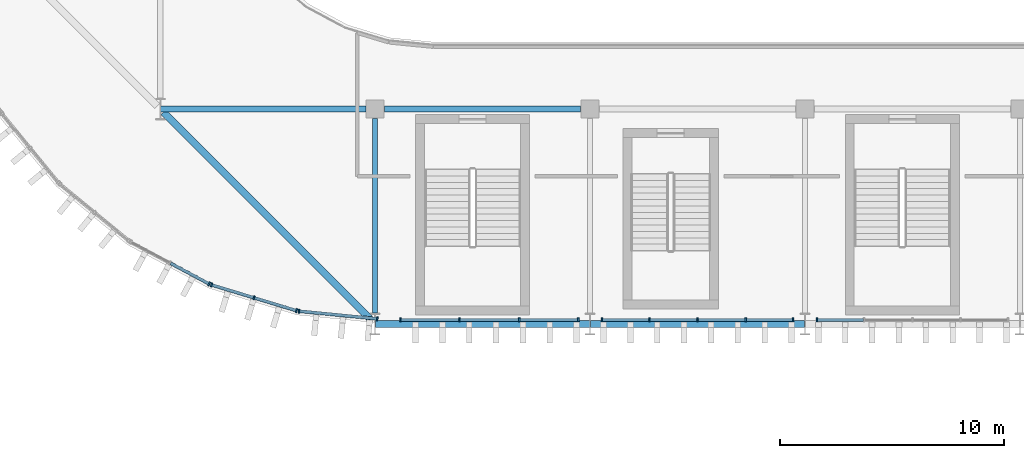
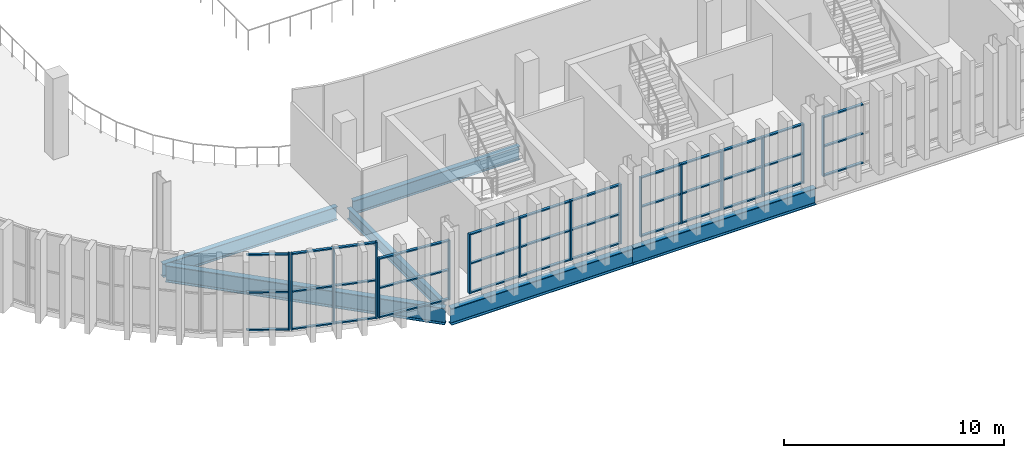
# One storey, part 8 of 75: 52 members, 6 beams, 6 elements without a shape of their own.
"""IFC4 building model written with IfcOpenShell, lengths in metres."""

import ifcopenshell
import ifcopenshell.guid

model = None  # the IFC model being written
_history = None  # IfcOwnerHistory: only IFC2X3 demands one
_inside = {}  # id of a spatial element -> (the spatial element, [elements in it])
_under = {}  # id of a project, library or spatial element -> (it, [spatial elements below it])
_declared = {}  # id of a project -> (the project, [libraries it declares])
_typed = {}  # id of a type object -> (the type object, [elements of that type])
_made_of = {}  # id of a material, layer set ... -> (it, [elements and type objects made of it])


def new_model(schema):
    """Start an empty IFC model of exactly this schema.

    Asked for "IFC4X3", IfcOpenShell would pick the latest addendum, in which some entities
    have other attributes; the version numbers below select the first issue.
    IFC2X3 requires an IfcOwnerHistory on every rooted entity: one is made here for all.
    """
    global model, _history
    if schema == "IFC4X3":
        model = ifcopenshell.file(schema_version=(4, 3, 0, 0))
    else:
        model = ifcopenshell.file(schema=schema)
    _inside.clear()
    _under.clear()
    _declared.clear()
    _typed.clear()
    _made_of.clear()
    _history = None
    if model.schema == "IFC2X3":
        org = make("IfcOrganization", Name="unknown")
        user = make(
            "IfcPersonAndOrganization",
            ThePerson=make("IfcPerson", FamilyName="unknown"),
            TheOrganization=org,
        )
        app = make(
            "IfcApplication",
            ApplicationDeveloper=org,
            Version="unknown",
            ApplicationFullName="unknown",
            ApplicationIdentifier="unknown",
        )
        _history = make(
            "IfcOwnerHistory",
            OwningUser=user,
            OwningApplication=app,
            ChangeAction="ADDED",
            CreationDate=0,
        )
    return model


def make(cls, **values):
    """One entity of the class cls with the attributes given. An attribute that is None is left unset."""
    return model.create_entity(
        cls, **{name: value for name, value in values.items() if value is not None}
    )


def rooted(cls, **values):
    """An entity with a GlobalId (a new one), such as an element, a storey or a relation."""
    return make(cls, GlobalId=ifcopenshell.guid.new(), OwnerHistory=_history, **values)


def si_unit(unit_type, name, prefix=None):
    """IfcSIUnit, for example si_unit("LENGTHUNIT", "METRE", prefix="MILLI")."""
    return make("IfcSIUnit", UnitType=unit_type, Prefix=prefix, Name=name)


def assignment(units):
    """IfcUnitAssignment: the units of a project."""
    return None if units is None else make("IfcUnitAssignment", Units=units)


def point(xyz):
    """IfcCartesianPoint."""
    return None if xyz is None else make("IfcCartesianPoint", Coordinates=xyz)


def direction(xyz):
    """IfcDirection."""
    return None if xyz is None else make("IfcDirection", DirectionRatios=xyz)


def frame(location, z_axis=None, x_axis=None):
    """IfcAxis2Placement3D, a coordinate frame: its origin and axes. An axis left out is left unset."""
    return make(
        "IfcAxis2Placement3D",
        Location=point(location),
        Axis=direction(z_axis),
        RefDirection=direction(x_axis),
    )


def frame_2d(location, x_axis=None):
    """IfcAxis2Placement2D, a coordinate frame in the plane: its origin and x axis."""
    return make(
        "IfcAxis2Placement2D", Location=point(location), RefDirection=direction(x_axis)
    )


def origin():
    """The frame at (0, 0, 0) with its axes left unset."""
    return frame((0.0, 0.0, 0.0))


def origin_2d():
    """The frame at (0, 0) in the plane with its x axis left unset."""
    return frame_2d((0.0, 0.0))


def place(relative_to, where):
    """IfcLocalPlacement: puts the frame where relative to a parent placement (None: the world)."""
    return make(
        "IfcLocalPlacement", PlacementRelTo=relative_to, RelativePlacement=where
    )


def context(
    kind, dimensions, precision=None, world=None, true_north=None, identifier=None
):
    """IfcGeometricRepresentationContext, for example the 3D "Model" context."""
    return make(
        "IfcGeometricRepresentationContext",
        ContextIdentifier=identifier,
        ContextType=kind,
        CoordinateSpaceDimension=dimensions,
        Precision=precision,
        WorldCoordinateSystem=world,
        TrueNorth=true_north,
    )


def subcontext(parent, identifier, kind, view, scale=None):
    """IfcGeometricRepresentationSubContext, for example "Body" below "Model"."""
    return make(
        "IfcGeometricRepresentationSubContext",
        ContextIdentifier=identifier,
        ContextType=kind,
        ParentContext=parent,
        TargetScale=scale,
        TargetView=view,
    )


def project(units=None, contexts=None):
    """IfcProject with its units and contexts."""
    return rooted(
        "IfcProject",
        Name="project",
        RepresentationContexts=contexts,
        UnitsInContext=assignment(units),
    )


def spatial(cls, under=None, at=None, **own):
    """A site, building, storey or space (cls), placed at a placement, below another one or the project."""
    s = rooted(cls, ObjectPlacement=at, **own)
    if under is not None:
        _under.setdefault(under.id(), (under, []))[1].append(s)
    return s


def profile(cls, at=None, kind="AREA", **sizes):
    """A parametric profile (cls). Its sizes go by their IFC names, for example OverallWidth=200.0."""
    return make(cls, ProfileType=kind, Position=at, **sizes)


def rectangle(**sizes):
    """IfcRectangleProfileDef."""
    return profile("IfcRectangleProfileDef", **sizes)


def i_section(**sizes):
    """IfcIShapeProfileDef."""
    return profile("IfcIShapeProfileDef", **sizes)


def extrude(swept, where, along, depth):
    """IfcExtrudedAreaSolid: the profile swept, set in the frame where, extruded along a direction by depth."""
    return make(
        "IfcExtrudedAreaSolid",
        SweptArea=swept,
        Position=where,
        ExtrudedDirection=direction(along),
        Depth=depth,
    )


def shape(context_of_items, identifier, shape_type, items):
    """IfcShapeRepresentation: the items that make up one representation, for example the "Body"."""
    return make(
        "IfcShapeRepresentation",
        ContextOfItems=context_of_items,
        RepresentationIdentifier=identifier,
        RepresentationType=shape_type,
        Items=items,
    )


def material(Name=None, Category=None):
    """IfcMaterial."""
    return make("IfcMaterial", Name=Name, Category=Category)


def layer(
    of_material, thickness, ventilated=None, Name=None, Category=None, Priority=None
):
    """IfcMaterialLayer: one layer of a wall or slab, of a material (None: an air gap)."""
    return make(
        "IfcMaterialLayer",
        Material=of_material,
        LayerThickness=thickness,
        IsVentilated=ventilated,
        Name=Name,
        Category=Category,
        Priority=Priority,
    )


def layer_set(layers, Name=None):
    """IfcMaterialLayerSet."""
    return make("IfcMaterialLayerSet", MaterialLayers=layers, LayerSetName=Name)


def material_profile(
    of_material, cross_section, Name=None, Category=None, Priority=None
):
    """IfcMaterialProfile: a cross section and its material."""
    return make(
        "IfcMaterialProfile",
        Name=Name,
        Material=of_material,
        Profile=cross_section,
        Priority=Priority,
        Category=Category,
    )


def profile_set(profiles, Name=None, composite=None):
    """IfcMaterialProfileSet."""
    return make(
        "IfcMaterialProfileSet",
        Name=Name,
        MaterialProfiles=profiles,
        CompositeProfile=composite,
    )


def made_of(thing, what):
    """Note that an element or type object is made of a material, layer set ...; save() writes the relation."""
    if what is not None:
        _made_of.setdefault(what.id(), (what, []))[1].append(thing)
    return thing


def type_object(cls, material=None, **own):
    """A type object (cls), such as IfcWallType, which elements share."""
    return made_of(rooted(cls, **own), material)


def element(
    cls,
    number,
    at=None,
    inside=None,
    cuts=None,
    type_object=None,
    material=None,
    context=None,
    identifier="Body",
    shape_type=None,
    held_by="IfcProductDefinitionShape",
    body=None,
    shapes=None,
    **own,
):
    """One element of the class cls, such as IfcWall. Its Tag is "e" and its number.

    at: its placement. inside: the storey or other place that contains it. cuts: it is an
    opening in that element (IfcRelVoidsElement). A single representation is given by context,
    identifier, shape_type and body (its items); several are given by shapes. held_by: the class
    of the entity that holds the representations. save() writes the other relations.
    """
    e = rooted(cls, Tag="e%d" % number, ObjectPlacement=at, **own)
    if body is not None:
        shapes = [shape(context, identifier, shape_type, body)]
    if shapes is not None:
        e.Representation = make(held_by, Representations=shapes)
    if inside is not None:
        _inside.setdefault(inside.id(), (inside, []))[1].append(e)
    if cuts is not None:
        rooted(
            "IfcRelVoidsElement", RelatingBuildingElement=cuts, RelatedOpeningElement=e
        )
    if type_object is not None:
        _typed.setdefault(type_object.id(), (type_object, []))[1].append(e)
    return made_of(e, material)


def aggregate(whole, parts):
    """IfcRelAggregates: a whole, such as a stair, and the parts it consists of."""
    return rooted("IfcRelAggregates", RelatingObject=whole, RelatedObjects=parts)


def save(model, path):
    """Write the relations noted so far, then the file.

    IfcRelAggregates (storeys below a building ...), IfcRelContainedInSpatialStructure (elements
    in a storey), IfcRelDefinesByType, IfcRelAssociatesMaterial and IfcRelDeclares: one each for
    every whole, place, type object, material and project.
    """
    for whole, parts in _under.values():
        aggregate(whole, parts)
    for where, things in _inside.values():
        rooted(
            "IfcRelContainedInSpatialStructure",
            RelatedElements=things,
            RelatingStructure=where,
        )
    for kind, things in _typed.values():
        rooted("IfcRelDefinesByType", RelatedObjects=things, RelatingType=kind)
    for what, things in _made_of.values():
        rooted("IfcRelAssociatesMaterial", RelatedObjects=things, RelatingMaterial=what)
    for by, libraries in _declared.values():
        rooted("IfcRelDeclares", RelatingContext=by, RelatedDefinitions=libraries)
    model.write(path)


model = new_model("IFC4")

# Units and contexts
model_context = context("Model", 3, precision=1e-05, world=origin(), true_north=direction((0.0, 1.0)))
body_context = subcontext(model_context, "Body", "Model", "MODEL_VIEW")
ifc_project = project(units=[si_unit("LENGTHUNIT", "METRE"), si_unit("AREAUNIT", "SQUARE_METRE"), si_unit("VOLUMEUNIT", "CUBIC_METRE"), si_unit("PLANEANGLEUNIT", "RADIAN"), si_unit("MASSUNIT", "GRAM", prefix="KILO")], contexts=[model_context])

# Site, building, storey
site_placement = place(None, origin())
site = spatial("IfcSite", under=ifc_project, at=site_placement, CompositionType="ELEMENT")
building_placement = place(site_placement, origin())
building = spatial("IfcBuilding", under=site, at=building_placement, Name="Caelomonte Colonnade Arena", CompositionType="ELEMENT")
storey_placement = place(building_placement, frame((0.0, 0.0, 14.10009765625)))
storey = spatial("IfcBuildingStorey", under=building, at=storey_placement, Name="L03", CompositionType="ELEMENT", Elevation=14.10009765625)

# Curtain wall, member
ifc_material_1 = material(Name="Bronze anodised aluminium and low-E glazing", Category="aluminium")
ifc_layer_1 = layer(ifc_material_1, 0.179931640625)
ifc_layer_set_1 = layer_set([ifc_layer_1], Name="Bronze anodised aluminium and low-E glazing")
curtain_wall_type_1 = type_object("IfcCurtainWallType", Name="ENV-CW-CW-L03-44-42", PredefinedType="USERDEFINED", material=ifc_layer_set_1)
curtain_wall_1_placement = place(storey_placement, origin())
curtain_wall_1 = element("IfcCurtainWall", 1, at=curtain_wall_1_placement, inside=storey, type_object=curtain_wall_type_1, Name="L03 unitized curtain wall CW-L03-0676-0219", ObjectType="UNITIZED CURTAIN WALL", PredefinedType="USERDEFINED")
ifc_material_2 = material(Name="Bronze anodised aluminium AA6063-T6", Category="aluminium")
ifc_material_profile_1 = material_profile(ifc_material_2, rectangle(XDim=0.070068359375, YDim=0.179931640625, at=origin_2d()), Name="CWM-70X180")
ifc_profile_set_1 = profile_set([ifc_material_profile_1], Name="Bronze anodised aluminium AA6063-T6")
member_type_1 = type_object("IfcMemberType", Name="ENV-CW-MULL1", PredefinedType="MULLION", material=ifc_profile_set_1)
member_1_placement = place(storey_placement, frame((69.38232421875, 20.99267578125, 0.0), z_axis=(0.0, 0.0, 1.0), x_axis=(0.881922613642, -0.471394212466, 0.0)))
member_1 = element("IfcMember", 2, at=member_1_placement, type_object=member_type_1, Name="CW-L03-44-42 mullion 3", PredefinedType="MULLION", context=body_context, shape_type="SweptSolid", body=[
    extrude(rectangle(XDim=0.070068359375, YDim=0.179931640625, at=origin_2d()), origin(), (0.0, 0.0, 1.0), 4.239990234375),
])

# Curtain wall, members
curtain_wall_2_placement = place(storey_placement, origin())
curtain_wall_2 = element("IfcCurtainWall", 3, at=curtain_wall_2_placement, inside=storey, type_object=curtain_wall_type_1, Name="L03 unitized curtain wall CW-L03-0714-0204", ObjectType="UNITIZED CURTAIN WALL", PredefinedType="USERDEFINED")
member_2_placement = place(storey_placement, frame((69.487548828125, 20.948974609375, 0.0), z_axis=(0.0, 0.0, 1.0), x_axis=(0.956949160999, -0.290255582655, 0.0)))
member_2 = element("IfcMember", 4, at=member_2_placement, type_object=member_type_1, Name="CW-L03-44-42 mullion 1", PredefinedType="MULLION", context=body_context, shape_type="SweptSolid", body=[
    extrude(rectangle(XDim=0.070068359375, YDim=0.179931640625, at=origin_2d()), origin(), (0.0, 0.0, 1.0), 4.239990234375),
])
member_3_placement = place(storey_placement, frame((71.385498046875, 20.373291015625, 0.0), z_axis=(0.0, 0.0, 1.0), x_axis=(0.956949160999, -0.290255582655, 0.0)))
member_3 = element("IfcMember", 5, at=member_3_placement, type_object=member_type_1, Name="CW-L03-44-42 mullion 2", PredefinedType="MULLION", context=body_context, shape_type="SweptSolid", body=[
    extrude(rectangle(XDim=0.070068359375, YDim=0.179931640625, at=origin_2d()), origin(), (0.0, 0.0, 1.0), 4.239990234375),
])
member_4_placement = place(storey_placement, frame((73.28369140625, 19.797607421875, 0.0), z_axis=(0.0, 0.0, 1.0), x_axis=(0.956949160999, -0.290255582655, 0.0)))
member_4 = element("IfcMember", 6, at=member_4_placement, type_object=member_type_1, Name="CW-L03-44-42 mullion 3", PredefinedType="MULLION", context=body_context, shape_type="SweptSolid", body=[
    extrude(rectangle(XDim=0.070068359375, YDim=0.179931640625, at=origin_2d()), origin(), (0.0, 0.0, 1.0), 4.239990234375),
])

ifc_layer_2 = layer(ifc_material_1, 0.179931640625)
ifc_layer_set_2 = layer_set([ifc_layer_2], Name="Bronze anodised aluminium and low-E glazing")
curtain_wall_type_2 = type_object("IfcCurtainWallType", Name="ENV-CW-CW-L03-42-33", PredefinedType="USERDEFINED", material=ifc_layer_set_2)
curtain_wall_3_placement = place(storey_placement, origin())
curtain_wall_3 = element("IfcCurtainWall", 7, at=curtain_wall_3_placement, inside=storey, type_object=curtain_wall_type_2, Name="L03 unitized curtain wall CW-L03-0753-0196", ObjectType="UNITIZED CURTAIN WALL", PredefinedType="USERDEFINED")
member_5_placement = place(storey_placement, frame((73.3955078125, 19.775390625, 0.0), z_axis=(0.0, 0.0, 1.0), x_axis=(0.995184476904, -0.09801967624, 0.0)))
member_5 = element("IfcMember", 8, at=member_5_placement, type_object=member_type_1, Name="CW-L03-42-33 mullion 1", PredefinedType="MULLION", context=body_context, shape_type="SweptSolid", body=[
    extrude(rectangle(XDim=0.070068359375, YDim=0.179931640625, at=origin_2d()), origin(), (0.0, 0.0, 1.0), 3.312744140625),
])
member_6_placement = place(storey_placement, frame((76.891357421875, 19.430908203125, 0.0), z_axis=(0.0, 0.0, 1.0), x_axis=(0.995184476904, -0.09801967624, 0.0)))
member_6 = element("IfcMember", 9, at=member_6_placement, type_object=member_type_1, Name="CW-L03-42-33 mullion 2", PredefinedType="MULLION", context=body_context, shape_type="SweptSolid", body=[
    extrude(rectangle(XDim=0.070068359375, YDim=0.179931640625, at=origin_2d()), origin(), (0.0, 0.0, 1.0), 3.312744140625),
])

ifc_layer_3 = layer(ifc_material_1, 0.179931640625)
ifc_layer_set_3 = layer_set([ifc_layer_3], Name="Bronze anodised aluminium and low-E glazing")
curtain_wall_type_3 = type_object("IfcCurtainWallType", Name="ENV-CW-CW-L03-90-33", PredefinedType="USERDEFINED", material=ifc_layer_set_3)
curtain_wall_4_placement = place(storey_placement, origin())
curtain_wall_4 = element("IfcCurtainWall", 10, at=curtain_wall_4_placement, inside=storey, type_object=curtain_wall_type_3, Name="L03 unitized curtain wall CW-L03-0819-0194", ObjectType="UNITIZED CURTAIN WALL", PredefinedType="USERDEFINED")
member_7_placement = place(storey_placement, frame((77.9287109375, 19.3798828125, 0.0), z_axis=(0.0, 0.0, 1.0), x_axis=(1.0, 0.0, 0.0)))
member_7 = element("IfcMember", 11, at=member_7_placement, type_object=member_type_1, Name="CW-L03-90-33 mullion 1", PredefinedType="MULLION", context=body_context, shape_type="SweptSolid", body=[
    extrude(rectangle(XDim=0.070068359375, YDim=0.179931640625, at=origin_2d()), origin(), (0.0, 0.0, 1.0), 3.312744140625),
])
member_8_placement = place(storey_placement, frame((80.564453125, 19.3798828125, 0.0), z_axis=(0.0, 0.0, 1.0), x_axis=(1.0, 0.0, 0.0)))
member_8 = element("IfcMember", 12, at=member_8_placement, type_object=member_type_1, Name="CW-L03-90-33 mullion 2", PredefinedType="MULLION", context=body_context, shape_type="SweptSolid", body=[
    extrude(rectangle(XDim=0.070068359375, YDim=0.179931640625, at=origin_2d()), origin(), (0.0, 0.0, 1.0), 3.312744140625),
])
member_9_placement = place(storey_placement, frame((83.2353515625, 19.3798828125, 0.0), z_axis=(0.0, 0.0, 1.0), x_axis=(1.0, 0.0, 0.0)))
member_9 = element("IfcMember", 13, at=member_9_placement, type_object=member_type_1, Name="CW-L03-90-33 mullion 3", PredefinedType="MULLION", context=body_context, shape_type="SweptSolid", body=[
    extrude(rectangle(XDim=0.070068359375, YDim=0.179931640625, at=origin_2d()), origin(), (0.0, 0.0, 1.0), 3.312744140625),
])
member_10_placement = place(storey_placement, frame((85.871337890625, 19.3798828125, 0.0), z_axis=(0.0, 0.0, 1.0), x_axis=(1.0, 0.0, 0.0)))
member_10 = element("IfcMember", 14, at=member_10_placement, type_object=member_type_1, Name="CW-L03-90-33 mullion 4", PredefinedType="MULLION", context=body_context, shape_type="SweptSolid", body=[
    extrude(rectangle(XDim=0.070068359375, YDim=0.179931640625, at=origin_2d()), origin(), (0.0, 0.0, 1.0), 3.312744140625),
])

ifc_layer_4 = layer(ifc_material_1, 0.179931640625)
ifc_layer_set_4 = layer_set([ifc_layer_4], Name="Bronze anodised aluminium and low-E glazing")
curtain_wall_type_4 = type_object("IfcCurtainWallType", Name="ENV-CW-CW-L03-96-33", PredefinedType="USERDEFINED", material=ifc_layer_set_4)
curtain_wall_5_placement = place(storey_placement, origin())
curtain_wall_5 = element("IfcCurtainWall", 15, at=curtain_wall_5_placement, inside=storey, type_object=curtain_wall_type_4, Name="L03 unitized curtain wall CW-L03-0912-0194", ObjectType="UNITIZED CURTAIN WALL", PredefinedType="USERDEFINED")
member_11_placement = place(storey_placement, frame((86.9287109375, 19.3798828125, 0.0), z_axis=(0.0, 0.0, 1.0), x_axis=(1.0, 0.0, 0.0)))
member_11 = element("IfcMember", 16, at=member_11_placement, type_object=member_type_1, Name="CW-L03-96-33 mullion 1", PredefinedType="MULLION", context=body_context, shape_type="SweptSolid", body=[
    extrude(rectangle(XDim=0.070068359375, YDim=0.179931640625, at=origin_2d()), origin(), (0.0, 0.0, 1.0), 3.312744140625),
])
member_12_placement = place(storey_placement, frame((89.046875, 19.3798828125, 0.0), z_axis=(0.0, 0.0, 1.0), x_axis=(1.0, 0.0, 0.0)))
member_12 = element("IfcMember", 17, at=member_12_placement, type_object=member_type_1, Name="CW-L03-96-33 mullion 2", PredefinedType="MULLION", context=body_context, shape_type="SweptSolid", body=[
    extrude(rectangle(XDim=0.070068359375, YDim=0.179931640625, at=origin_2d()), origin(), (0.0, 0.0, 1.0), 3.312744140625),
])
member_13_placement = place(storey_placement, frame((91.199951171875, 19.3798828125, 0.0), z_axis=(0.0, 0.0, 1.0), x_axis=(1.0, 0.0, 0.0)))
member_13 = element("IfcMember", 18, at=member_13_placement, type_object=member_type_1, Name="CW-L03-96-33 mullion 3", PredefinedType="MULLION", context=body_context, shape_type="SweptSolid", body=[
    extrude(rectangle(XDim=0.070068359375, YDim=0.179931640625, at=origin_2d()), origin(), (0.0, 0.0, 1.0), 3.312744140625),
])
member_14_placement = place(storey_placement, frame((93.353271484375, 19.3798828125, 0.0), z_axis=(0.0, 0.0, 1.0), x_axis=(1.0, 0.0, 0.0)))
member_14 = element("IfcMember", 19, at=member_14_placement, type_object=member_type_1, Name="CW-L03-96-33 mullion 4", PredefinedType="MULLION", context=body_context, shape_type="SweptSolid", body=[
    extrude(rectangle(XDim=0.070068359375, YDim=0.179931640625, at=origin_2d()), origin(), (0.0, 0.0, 1.0), 3.312744140625),
])
member_15_placement = place(storey_placement, frame((95.47119140625, 19.3798828125, 0.0), z_axis=(0.0, 0.0, 1.0), x_axis=(1.0, 0.0, 0.0)))
member_15 = element("IfcMember", 20, at=member_15_placement, type_object=member_type_1, Name="CW-L03-96-33 mullion 5", PredefinedType="MULLION", context=body_context, shape_type="SweptSolid", body=[
    extrude(rectangle(XDim=0.070068359375, YDim=0.179931640625, at=origin_2d()), origin(), (0.0, 0.0, 1.0), 3.312744140625),
])

# Curtain wall, member
curtain_wall_6_placement = place(storey_placement, origin())
curtain_wall_6 = element("IfcCurtainWall", 21, at=curtain_wall_6_placement, inside=storey, type_object=curtain_wall_type_4, Name="L03 unitized curtain wall CW-L03-1008-0194", ObjectType="UNITIZED CURTAIN WALL", PredefinedType="USERDEFINED")
member_16_placement = place(storey_placement, frame((96.52880859375, 19.3798828125, 0.0), z_axis=(0.0, 0.0, 1.0), x_axis=(1.0, 0.0, 0.0)))
member_16 = element("IfcMember", 22, at=member_16_placement, type_object=member_type_1, Name="CW-L03-96-33 mullion 1", PredefinedType="MULLION", context=body_context, shape_type="SweptSolid", body=[
    extrude(rectangle(XDim=0.070068359375, YDim=0.179931640625, at=origin_2d()), origin(), (0.0, 0.0, 1.0), 3.312744140625),
])

# Member
ifc_material_profile_2 = material_profile(ifc_material_2, rectangle(XDim=0.070068359375, YDim=0.139892578125, at=origin_2d()), Name="CWT-70X140")
ifc_profile_set_2 = profile_set([ifc_material_profile_2], Name="Bronze anodised aluminium AA6063-T6")
member_type_2 = type_object("IfcMemberType", Name="ENV-CW-TRAN1", PredefinedType="USERDEFINED", material=ifc_profile_set_2)
member_17_placement = place(storey_placement, frame((67.6640625, 21.9111328125, 0.034912109375), z_axis=(0.881896914799, -0.471442288799, 0.0), x_axis=(0.0, 0.0, 1.0)))
member_17 = element("IfcMember", 23, at=member_17_placement, type_object=member_type_2, Name="CW-L03-44-42 transom 2.1", ObjectType="TRANSOM", PredefinedType="USERDEFINED", context=body_context, shape_type="SweptSolid", body=[
    extrude(rectangle(XDim=0.070068359375, YDim=0.139892578125, at=origin_2d()), origin(), (0.0, 0.0, 1.0), 1.91357421875),
])

member_18_placement = place(storey_placement, frame((67.6640625, 21.9111328125, 2.119873046875), z_axis=(0.881896914799, -0.471442288799, 0.0), x_axis=(0.0, 0.0, 1.0)))
member_18 = element("IfcMember", 24, at=member_18_placement, type_object=member_type_2, Name="CW-L03-44-42 transom 2.2", ObjectType="TRANSOM", PredefinedType="USERDEFINED", context=body_context, shape_type="SweptSolid", body=[
    extrude(rectangle(XDim=0.070068359375, YDim=0.139892578125, at=origin_2d()), origin(), (0.0, 0.0, 1.0), 1.91357421875),
])

member_19_placement = place(storey_placement, frame((67.6640625, 21.9111328125, 4.204833984375), z_axis=(0.881896914799, -0.471442288799, 0.0), x_axis=(0.0, 0.0, 1.0)))
member_19 = element("IfcMember", 25, at=member_19_placement, type_object=member_type_2, Name="CW-L03-44-42 transom 2.3", ObjectType="TRANSOM", PredefinedType="USERDEFINED", context=body_context, shape_type="SweptSolid", body=[
    extrude(rectangle(XDim=0.070068359375, YDim=0.139892578125, at=origin_2d()), origin(), (0.0, 0.0, 1.0), 1.91357421875),
])

aggregate(curtain_wall_1, [member_1, member_17, member_18, member_19])

member_20_placement = place(storey_placement, frame((69.52099609375, 20.938720703125, 0.034912109375), z_axis=(0.956943884494, -0.290272978297, 0.0), x_axis=(0.0, 0.0, 1.0)))
member_20 = element("IfcMember", 26, at=member_20_placement, type_object=member_type_2, Name="CW-L03-44-42 transom 1.1", ObjectType="TRANSOM", PredefinedType="USERDEFINED", context=body_context, shape_type="SweptSolid", body=[
    extrude(rectangle(XDim=0.070068359375, YDim=0.139892578125, at=origin_2d()), origin(), (0.0, 0.0, 1.0), 1.913330078125),
])

member_21_placement = place(storey_placement, frame((69.52099609375, 20.938720703125, 2.119873046875), z_axis=(0.956943884494, -0.290272978297, 0.0), x_axis=(0.0, 0.0, 1.0)))
member_21 = element("IfcMember", 27, at=member_21_placement, type_object=member_type_2, Name="CW-L03-44-42 transom 1.2", ObjectType="TRANSOM", PredefinedType="USERDEFINED", context=body_context, shape_type="SweptSolid", body=[
    extrude(rectangle(XDim=0.070068359375, YDim=0.139892578125, at=origin_2d()), origin(), (0.0, 0.0, 1.0), 1.913330078125),
])

member_22_placement = place(storey_placement, frame((69.52099609375, 20.938720703125, 4.204833984375), z_axis=(0.956943884494, -0.290272978297, 0.0), x_axis=(0.0, 0.0, 1.0)))
member_22 = element("IfcMember", 28, at=member_22_placement, type_object=member_type_2, Name="CW-L03-44-42 transom 1.3", ObjectType="TRANSOM", PredefinedType="USERDEFINED", context=body_context, shape_type="SweptSolid", body=[
    extrude(rectangle(XDim=0.070068359375, YDim=0.139892578125, at=origin_2d()), origin(), (0.0, 0.0, 1.0), 1.913330078125),
])

member_23_placement = place(storey_placement, frame((71.419189453125, 20.363037109375, 0.034912109375), z_axis=(0.956933131783, -0.290308424431, 0.0), x_axis=(0.0, 0.0, 1.0)))
member_23 = element("IfcMember", 29, at=member_23_placement, type_object=member_type_2, Name="CW-L03-44-42 transom 2.1", ObjectType="TRANSOM", PredefinedType="USERDEFINED", context=body_context, shape_type="SweptSolid", body=[
    extrude(rectangle(XDim=0.070068359375, YDim=0.139892578125, at=origin_2d()), origin(), (0.0, 0.0, 1.0), 1.9130859375),
])

member_24_placement = place(storey_placement, frame((71.419189453125, 20.363037109375, 2.119873046875), z_axis=(0.956933131783, -0.290308424431, 0.0), x_axis=(0.0, 0.0, 1.0)))
member_24 = element("IfcMember", 30, at=member_24_placement, type_object=member_type_2, Name="CW-L03-44-42 transom 2.2", ObjectType="TRANSOM", PredefinedType="USERDEFINED", context=body_context, shape_type="SweptSolid", body=[
    extrude(rectangle(XDim=0.070068359375, YDim=0.139892578125, at=origin_2d()), origin(), (0.0, 0.0, 1.0), 1.9130859375),
])

member_25_placement = place(storey_placement, frame((71.419189453125, 20.363037109375, 4.204833984375), z_axis=(0.956933131783, -0.290308424431, 0.0), x_axis=(0.0, 0.0, 1.0)))
member_25 = element("IfcMember", 31, at=member_25_placement, type_object=member_type_2, Name="CW-L03-44-42 transom 2.3", ObjectType="TRANSOM", PredefinedType="USERDEFINED", context=body_context, shape_type="SweptSolid", body=[
    extrude(rectangle(XDim=0.070068359375, YDim=0.139892578125, at=origin_2d()), origin(), (0.0, 0.0, 1.0), 1.9130859375),
])

aggregate(curtain_wall_2, [member_2, member_3, member_4, member_20, member_21, member_22, member_23, member_24, member_25])

member_26_placement = place(storey_placement, frame((73.43017578125, 19.771728515625, 0.034912109375), z_axis=(0.995186987099, -0.097994187116, 0.0), x_axis=(0.0, 0.0, 1.0)))
member_26 = element("IfcMember", 32, at=member_26_placement, type_object=member_type_2, Name="CW-L03-42-33 transom 1.1", ObjectType="TRANSOM", PredefinedType="USERDEFINED", context=body_context, shape_type="SweptSolid", body=[
    extrude(rectangle(XDim=0.070068359375, YDim=0.139892578125, at=origin_2d()), origin(), (0.0, 0.0, 1.0), 3.443115234375),
])

member_27_placement = place(storey_placement, frame((73.43017578125, 19.771728515625, 1.65625), z_axis=(0.995186987099, -0.097994187116, 0.0), x_axis=(0.0, 0.0, 1.0)))
member_27 = element("IfcMember", 33, at=member_27_placement, type_object=member_type_2, Name="CW-L03-42-33 transom 1.2", ObjectType="TRANSOM", PredefinedType="USERDEFINED", context=body_context, shape_type="SweptSolid", body=[
    extrude(rectangle(XDim=0.070068359375, YDim=0.139892578125, at=origin_2d()), origin(), (0.0, 0.0, 1.0), 3.443115234375),
])

member_28_placement = place(storey_placement, frame((73.43017578125, 19.771728515625, 3.277587890625), z_axis=(0.995186987099, -0.097994187116, 0.0), x_axis=(0.0, 0.0, 1.0)))
member_28 = element("IfcMember", 34, at=member_28_placement, type_object=member_type_2, Name="CW-L03-42-33 transom 1.3", ObjectType="TRANSOM", PredefinedType="USERDEFINED", context=body_context, shape_type="SweptSolid", body=[
    extrude(rectangle(XDim=0.070068359375, YDim=0.139892578125, at=origin_2d()), origin(), (0.0, 0.0, 1.0), 3.443115234375),
])

aggregate(curtain_wall_3, [member_5, member_6, member_26, member_27, member_28])

member_29_placement = place(storey_placement, frame((77.963623046875, 19.3798828125, 0.034912109375), z_axis=(1.0, 0.0, 0.0), x_axis=(0.0, 0.0, 1.0)))
member_29 = element("IfcMember", 35, at=member_29_placement, type_object=member_type_2, Name="CW-L03-90-33 transom 1.1", ObjectType="TRANSOM", PredefinedType="USERDEFINED", context=body_context, shape_type="SweptSolid", body=[
    extrude(rectangle(XDim=0.070068359375, YDim=0.139892578125, at=origin_2d()), origin(), (0.0, 0.0, 1.0), 2.56591796875),
])

member_30_placement = place(storey_placement, frame((77.963623046875, 19.3798828125, 1.65625), z_axis=(1.0, 0.0, 0.0), x_axis=(0.0, 0.0, 1.0)))
member_30 = element("IfcMember", 36, at=member_30_placement, type_object=member_type_2, Name="CW-L03-90-33 transom 1.2", ObjectType="TRANSOM", PredefinedType="USERDEFINED", context=body_context, shape_type="SweptSolid", body=[
    extrude(rectangle(XDim=0.070068359375, YDim=0.139892578125, at=origin_2d()), origin(), (0.0, 0.0, 1.0), 2.56591796875),
])

member_31_placement = place(storey_placement, frame((77.963623046875, 19.3798828125, 3.277587890625), z_axis=(1.0, 0.0, 0.0), x_axis=(0.0, 0.0, 1.0)))
member_31 = element("IfcMember", 37, at=member_31_placement, type_object=member_type_2, Name="CW-L03-90-33 transom 1.3", ObjectType="TRANSOM", PredefinedType="USERDEFINED", context=body_context, shape_type="SweptSolid", body=[
    extrude(rectangle(XDim=0.070068359375, YDim=0.139892578125, at=origin_2d()), origin(), (0.0, 0.0, 1.0), 2.56591796875),
])

member_32_placement = place(storey_placement, frame((80.599609375, 19.3798828125, 0.034912109375), z_axis=(1.0, 0.0, 0.0), x_axis=(0.0, 0.0, 1.0)))
member_32 = element("IfcMember", 38, at=member_32_placement, type_object=member_type_2, Name="CW-L03-90-33 transom 2.1", ObjectType="TRANSOM", PredefinedType="USERDEFINED", context=body_context, shape_type="SweptSolid", body=[
    extrude(rectangle(XDim=0.070068359375, YDim=0.139892578125, at=origin_2d()), origin(), (0.0, 0.0, 1.0), 2.600830078125),
])

member_33_placement = place(storey_placement, frame((80.599609375, 19.3798828125, 1.65625), z_axis=(1.0, 0.0, 0.0), x_axis=(0.0, 0.0, 1.0)))
member_33 = element("IfcMember", 39, at=member_33_placement, type_object=member_type_2, Name="CW-L03-90-33 transom 2.2", ObjectType="TRANSOM", PredefinedType="USERDEFINED", context=body_context, shape_type="SweptSolid", body=[
    extrude(rectangle(XDim=0.070068359375, YDim=0.139892578125, at=origin_2d()), origin(), (0.0, 0.0, 1.0), 2.600830078125),
])

member_34_placement = place(storey_placement, frame((80.599609375, 19.3798828125, 3.277587890625), z_axis=(1.0, 0.0, 0.0), x_axis=(0.0, 0.0, 1.0)))
member_34 = element("IfcMember", 40, at=member_34_placement, type_object=member_type_2, Name="CW-L03-90-33 transom 2.3", ObjectType="TRANSOM", PredefinedType="USERDEFINED", context=body_context, shape_type="SweptSolid", body=[
    extrude(rectangle(XDim=0.070068359375, YDim=0.139892578125, at=origin_2d()), origin(), (0.0, 0.0, 1.0), 2.600830078125),
])

member_35_placement = place(storey_placement, frame((83.2705078125, 19.3798828125, 0.034912109375), z_axis=(1.0, 0.0, 0.0), x_axis=(0.0, 0.0, 1.0)))
member_35 = element("IfcMember", 41, at=member_35_placement, type_object=member_type_2, Name="CW-L03-90-33 transom 3.1", ObjectType="TRANSOM", PredefinedType="USERDEFINED", context=body_context, shape_type="SweptSolid", body=[
    extrude(rectangle(XDim=0.070068359375, YDim=0.139892578125, at=origin_2d()), origin(), (0.0, 0.0, 1.0), 2.565673828125),
])

member_36_placement = place(storey_placement, frame((83.2705078125, 19.3798828125, 1.65625), z_axis=(1.0, 0.0, 0.0), x_axis=(0.0, 0.0, 1.0)))
member_36 = element("IfcMember", 42, at=member_36_placement, type_object=member_type_2, Name="CW-L03-90-33 transom 3.2", ObjectType="TRANSOM", PredefinedType="USERDEFINED", context=body_context, shape_type="SweptSolid", body=[
    extrude(rectangle(XDim=0.070068359375, YDim=0.139892578125, at=origin_2d()), origin(), (0.0, 0.0, 1.0), 2.565673828125),
])

member_37_placement = place(storey_placement, frame((83.2705078125, 19.3798828125, 3.277587890625), z_axis=(1.0, 0.0, 0.0), x_axis=(0.0, 0.0, 1.0)))
member_37 = element("IfcMember", 43, at=member_37_placement, type_object=member_type_2, Name="CW-L03-90-33 transom 3.3", ObjectType="TRANSOM", PredefinedType="USERDEFINED", context=body_context, shape_type="SweptSolid", body=[
    extrude(rectangle(XDim=0.070068359375, YDim=0.139892578125, at=origin_2d()), origin(), (0.0, 0.0, 1.0), 2.565673828125),
])

aggregate(curtain_wall_4, [member_7, member_8, member_9, member_10, member_29, member_30, member_31, member_32, member_33, member_34, member_35, member_36, member_37])

member_38_placement = place(storey_placement, frame((86.963623046875, 19.3798828125, 0.034912109375), z_axis=(1.0, 0.0, 0.0), x_axis=(0.0, 0.0, 1.0)))
member_38 = element("IfcMember", 44, at=member_38_placement, type_object=member_type_2, Name="CW-L03-96-33 transom 1.1", ObjectType="TRANSOM", PredefinedType="USERDEFINED", context=body_context, shape_type="SweptSolid", body=[
    extrude(rectangle(XDim=0.070068359375, YDim=0.139892578125, at=origin_2d()), origin(), (0.0, 0.0, 1.0), 2.04833984375),
])

member_39_placement = place(storey_placement, frame((86.963623046875, 19.3798828125, 1.65625), z_axis=(1.0, 0.0, 0.0), x_axis=(0.0, 0.0, 1.0)))
member_39 = element("IfcMember", 45, at=member_39_placement, type_object=member_type_2, Name="CW-L03-96-33 transom 1.2", ObjectType="TRANSOM", PredefinedType="USERDEFINED", context=body_context, shape_type="SweptSolid", body=[
    extrude(rectangle(XDim=0.070068359375, YDim=0.139892578125, at=origin_2d()), origin(), (0.0, 0.0, 1.0), 2.04833984375),
])

member_40_placement = place(storey_placement, frame((86.963623046875, 19.3798828125, 3.277587890625), z_axis=(1.0, 0.0, 0.0), x_axis=(0.0, 0.0, 1.0)))
member_40 = element("IfcMember", 46, at=member_40_placement, type_object=member_type_2, Name="CW-L03-96-33 transom 1.3", ObjectType="TRANSOM", PredefinedType="USERDEFINED", context=body_context, shape_type="SweptSolid", body=[
    extrude(rectangle(XDim=0.070068359375, YDim=0.139892578125, at=origin_2d()), origin(), (0.0, 0.0, 1.0), 2.04833984375),
])

member_41_placement = place(storey_placement, frame((89.081787109375, 19.3798828125, 0.034912109375), z_axis=(1.0, 0.0, 0.0), x_axis=(0.0, 0.0, 1.0)))
member_41 = element("IfcMember", 47, at=member_41_placement, type_object=member_type_2, Name="CW-L03-96-33 transom 2.1", ObjectType="TRANSOM", PredefinedType="USERDEFINED", context=body_context, shape_type="SweptSolid", body=[
    extrude(rectangle(XDim=0.070068359375, YDim=0.139892578125, at=origin_2d()), origin(), (0.0, 0.0, 1.0), 2.083251953125),
])

member_42_placement = place(storey_placement, frame((89.081787109375, 19.3798828125, 1.65625), z_axis=(1.0, 0.0, 0.0), x_axis=(0.0, 0.0, 1.0)))
member_42 = element("IfcMember", 48, at=member_42_placement, type_object=member_type_2, Name="CW-L03-96-33 transom 2.2", ObjectType="TRANSOM", PredefinedType="USERDEFINED", context=body_context, shape_type="SweptSolid", body=[
    extrude(rectangle(XDim=0.070068359375, YDim=0.139892578125, at=origin_2d()), origin(), (0.0, 0.0, 1.0), 2.083251953125),
])

member_43_placement = place(storey_placement, frame((89.081787109375, 19.3798828125, 3.277587890625), z_axis=(1.0, 0.0, 0.0), x_axis=(0.0, 0.0, 1.0)))
member_43 = element("IfcMember", 49, at=member_43_placement, type_object=member_type_2, Name="CW-L03-96-33 transom 2.3", ObjectType="TRANSOM", PredefinedType="USERDEFINED", context=body_context, shape_type="SweptSolid", body=[
    extrude(rectangle(XDim=0.070068359375, YDim=0.139892578125, at=origin_2d()), origin(), (0.0, 0.0, 1.0), 2.083251953125),
])

member_44_placement = place(storey_placement, frame((91.235107421875, 19.3798828125, 0.034912109375), z_axis=(1.0, 0.0, 0.0), x_axis=(0.0, 0.0, 1.0)))
member_44 = element("IfcMember", 50, at=member_44_placement, type_object=member_type_2, Name="CW-L03-96-33 transom 3.1", ObjectType="TRANSOM", PredefinedType="USERDEFINED", context=body_context, shape_type="SweptSolid", body=[
    extrude(rectangle(XDim=0.070068359375, YDim=0.139892578125, at=origin_2d()), origin(), (0.0, 0.0, 1.0), 2.0830078125),
])

member_45_placement = place(storey_placement, frame((91.235107421875, 19.3798828125, 1.65625), z_axis=(1.0, 0.0, 0.0), x_axis=(0.0, 0.0, 1.0)))
member_45 = element("IfcMember", 51, at=member_45_placement, type_object=member_type_2, Name="CW-L03-96-33 transom 3.2", ObjectType="TRANSOM", PredefinedType="USERDEFINED", context=body_context, shape_type="SweptSolid", body=[
    extrude(rectangle(XDim=0.070068359375, YDim=0.139892578125, at=origin_2d()), origin(), (0.0, 0.0, 1.0), 2.0830078125),
])

member_46_placement = place(storey_placement, frame((91.235107421875, 19.3798828125, 3.277587890625), z_axis=(1.0, 0.0, 0.0), x_axis=(0.0, 0.0, 1.0)))
member_46 = element("IfcMember", 52, at=member_46_placement, type_object=member_type_2, Name="CW-L03-96-33 transom 3.3", ObjectType="TRANSOM", PredefinedType="USERDEFINED", context=body_context, shape_type="SweptSolid", body=[
    extrude(rectangle(XDim=0.070068359375, YDim=0.139892578125, at=origin_2d()), origin(), (0.0, 0.0, 1.0), 2.0830078125),
])

member_47_placement = place(storey_placement, frame((93.38818359375, 19.3798828125, 0.034912109375), z_axis=(1.0, 0.0, 0.0), x_axis=(0.0, 0.0, 1.0)))
member_47 = element("IfcMember", 53, at=member_47_placement, type_object=member_type_2, Name="CW-L03-96-33 transom 4.1", ObjectType="TRANSOM", PredefinedType="USERDEFINED", context=body_context, shape_type="SweptSolid", body=[
    extrude(rectangle(XDim=0.070068359375, YDim=0.139892578125, at=origin_2d()), origin(), (0.0, 0.0, 1.0), 2.048095703125),
])

member_48_placement = place(storey_placement, frame((93.38818359375, 19.3798828125, 1.65625), z_axis=(1.0, 0.0, 0.0), x_axis=(0.0, 0.0, 1.0)))
member_48 = element("IfcMember", 54, at=member_48_placement, type_object=member_type_2, Name="CW-L03-96-33 transom 4.2", ObjectType="TRANSOM", PredefinedType="USERDEFINED", context=body_context, shape_type="SweptSolid", body=[
    extrude(rectangle(XDim=0.070068359375, YDim=0.139892578125, at=origin_2d()), origin(), (0.0, 0.0, 1.0), 2.048095703125),
])

member_49_placement = place(storey_placement, frame((93.38818359375, 19.3798828125, 3.277587890625), z_axis=(1.0, 0.0, 0.0), x_axis=(0.0, 0.0, 1.0)))
member_49 = element("IfcMember", 55, at=member_49_placement, type_object=member_type_2, Name="CW-L03-96-33 transom 4.3", ObjectType="TRANSOM", PredefinedType="USERDEFINED", context=body_context, shape_type="SweptSolid", body=[
    extrude(rectangle(XDim=0.070068359375, YDim=0.139892578125, at=origin_2d()), origin(), (0.0, 0.0, 1.0), 2.048095703125),
])

aggregate(curtain_wall_5, [member_11, member_12, member_13, member_14, member_15, member_38, member_39, member_40, member_41, member_42, member_43, member_44, member_45, member_46, member_47, member_48, member_49])

member_50_placement = place(storey_placement, frame((96.563720703125, 19.3798828125, 0.034912109375), z_axis=(1.0, 0.0, 0.0), x_axis=(0.0, 0.0, 1.0)))
member_50 = element("IfcMember", 56, at=member_50_placement, type_object=member_type_2, Name="CW-L03-96-33 transom 1.1", ObjectType="TRANSOM", PredefinedType="USERDEFINED", context=body_context, shape_type="SweptSolid", body=[
    extrude(rectangle(XDim=0.070068359375, YDim=0.139892578125, at=origin_2d()), origin(), (0.0, 0.0, 1.0), 2.048095703125),
])

member_51_placement = place(storey_placement, frame((96.563720703125, 19.3798828125, 1.65625), z_axis=(1.0, 0.0, 0.0), x_axis=(0.0, 0.0, 1.0)))
member_51 = element("IfcMember", 57, at=member_51_placement, type_object=member_type_2, Name="CW-L03-96-33 transom 1.2", ObjectType="TRANSOM", PredefinedType="USERDEFINED", context=body_context, shape_type="SweptSolid", body=[
    extrude(rectangle(XDim=0.070068359375, YDim=0.139892578125, at=origin_2d()), origin(), (0.0, 0.0, 1.0), 2.048095703125),
])

member_52_placement = place(storey_placement, frame((96.563720703125, 19.3798828125, 3.277587890625), z_axis=(1.0, 0.0, 0.0), x_axis=(0.0, 0.0, 1.0)))
member_52 = element("IfcMember", 58, at=member_52_placement, type_object=member_type_2, Name="CW-L03-96-33 transom 1.3", ObjectType="TRANSOM", PredefinedType="USERDEFINED", context=body_context, shape_type="SweptSolid", body=[
    extrude(rectangle(XDim=0.070068359375, YDim=0.139892578125, at=origin_2d()), origin(), (0.0, 0.0, 1.0), 2.048095703125),
])

aggregate(curtain_wall_6, [member_16, member_50, member_51, member_52])

# Beams
ifc_material_3 = material(Name="Wide-flange steel ASTM A992 Grade 50", Category="steel")
ifc_material_profile_3 = material_profile(ifc_material_3, i_section(OverallWidth=0.307861328125, OverallDepth=0.927001953125, WebThickness=0.019287109375, FlangeThickness=0.031982421875, FilletRadius=0.020263671875, at=origin_2d()), Name="W36X194")
ifc_profile_set_3 = profile_set([ifc_material_profile_3], Name="Wide-flange steel ASTM A992 Grade 50")
beam_type_1 = type_object("IfcBeamType", Name="STR-BM-EAVES2", PredefinedType="SPANDREL", material=ifc_profile_set_3)
for number, where, z_axis, x_axis, name in (
    (59, (76.811767578125, 19.199951171875, -0.74365234375), (1.0, 0.0, 0.0), (0.0, 1.0, 0.0), "L03 girder BMX-L03-0768-0192"),
    (60, (86.411865234375, 19.199951171875, -0.74365234375), (1.0, 0.0, 0.0), (0.0, 1.0, 0.0), "L03 girder BMX-L03-0864-0192"),
):
    element("IfcBeam", number, at=place(storey_placement, frame(where, z_axis=z_axis, x_axis=x_axis)), inside=storey, type_object=beam_type_1, Name=name, PredefinedType="SPANDREL", context=body_context, shape_type="SweptSolid", body=[
        extrude(i_section(OverallWidth=0.307861328125, OverallDepth=0.927001953125, WebThickness=0.019287109375, FlangeThickness=0.031982421875, FilletRadius=0.020263671875, at=origin_2d()), origin(), (0.0, 0.0, 1.0), 9.576416015625),
    ])
beam_1_placement = place(storey_placement, frame((67.342529296875, 28.657470703125, -0.74365234375), z_axis=(0.707106781187, -0.707106781187, 0.0), x_axis=(0.707106781187, 0.707106781187, 0.0)))
element("IfcBeam", 61, at=beam_1_placement, inside=storey, type_object=beam_type_1, Name="L03 drum corner ring girder 2", PredefinedType="SPANDREL", context=body_context, shape_type="SweptSolid", body=[
    extrude(i_section(OverallWidth=0.307861328125, OverallDepth=0.927001953125, WebThickness=0.019287109375, FlangeThickness=0.031982421875, FilletRadius=0.020263671875, at=origin_2d()), origin(), (0.0, 0.0, 1.0), 13.17333984375),
])
ifc_material_profile_4 = material_profile(ifc_material_3, i_section(OverallWidth=0.228271484375, OverallDepth=0.607177734375, WebThickness=0.01123046875, FlangeThickness=0.017333984375, FilletRadius=0.0126953125, at=origin_2d()), Name="W24X76")
ifc_profile_set_4 = profile_set([ifc_material_profile_4], Name="Wide-flange steel ASTM A992 Grade 50")
beam_type_2 = type_object("IfcBeamType", Name="STR-BM-GIRD24", PredefinedType="BEAM", material=ifc_profile_set_4)
beam_2_placement = place(storey_placement, frame((76.800048828125, 19.697509765625, -0.58349609375), z_axis=(0.0, 1.0, 0.0), x_axis=(-1.0, 0.0, 0.0)))
element("IfcBeam", 62, at=beam_2_placement, inside=storey, type_object=beam_type_2, Name="L03 girder BMY-L03-0768-0192", PredefinedType="BEAM", context=body_context, shape_type="SweptSolid", body=[
    extrude(i_section(OverallWidth=0.228271484375, OverallDepth=0.607177734375, WebThickness=0.01123046875, FlangeThickness=0.017333984375, FilletRadius=0.0126953125, at=origin_2d()), origin(), (0.0, 0.0, 1.0), 8.685546875),
])
ifc_material_profile_5 = material_profile(ifc_material_3, i_section(OverallWidth=0.265380859375, OverallDepth=0.75439453125, WebThickness=0.01318359375, FlangeThickness=0.01708984375, FilletRadius=0.0166015625, at=origin_2d()), Name="W30X99")
ifc_profile_set_5 = profile_set([ifc_material_profile_5], Name="Wide-flange steel ASTM A992 Grade 50")
beam_type_3 = type_object("IfcBeamType", Name="STR-BM-GIRD30B", PredefinedType="BEAM", material=ifc_profile_set_5)
beam_3_placement = place(storey_placement, frame((67.2119140625, 28.800048828125, -0.6572265625), z_axis=(1.0, 0.0, 0.0), x_axis=(0.0, 1.0, 0.0)))
element("IfcBeam", 63, at=beam_3_placement, inside=storey, type_object=beam_type_3, Name="L03 girder BMX-L03-0672-0288", PredefinedType="BEAM", context=body_context, shape_type="SweptSolid", body=[
    extrude(i_section(OverallWidth=0.265380859375, OverallDepth=0.75439453125, WebThickness=0.01318359375, FlangeThickness=0.01708984375, FilletRadius=0.0166015625, at=origin_2d()), origin(), (0.0, 0.0, 1.0), 9.171142578125),
])
beam_4_placement = place(storey_placement, frame((77.217041015625, 28.800048828125, -0.6572265625), z_axis=(1.0, 0.0, 0.0), x_axis=(0.0, 1.0, 0.0)))
element("IfcBeam", 64, at=beam_4_placement, inside=storey, type_object=beam_type_3, Name="L03 girder BMX-L03-0768-0288", PredefinedType="BEAM", context=body_context, shape_type="SweptSolid", body=[
    extrude(i_section(OverallWidth=0.265380859375, OverallDepth=0.75439453125, WebThickness=0.01318359375, FlangeThickness=0.01708984375, FilletRadius=0.0166015625, at=origin_2d()), origin(), (0.0, 0.0, 1.0), 8.765869140625),
])

save(model, "model.ifc")
